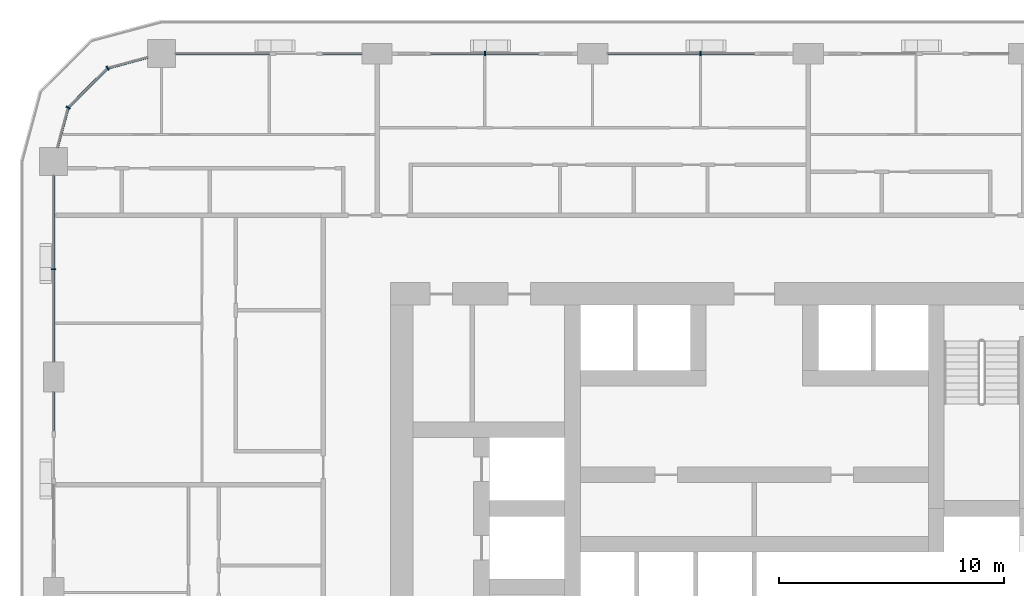
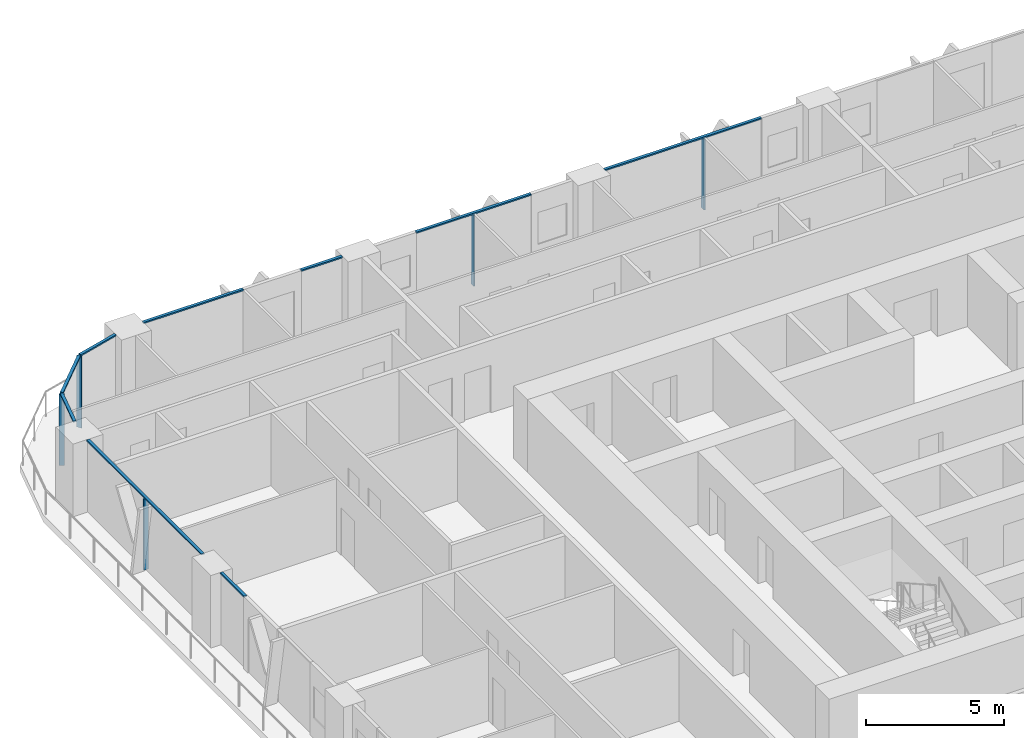
# One storey, part 5 of 21: 14 members, 6 elements without a shape of their own.
"""IFC4 building model written with IfcOpenShell, lengths in metres."""

from ifc_helpers import new_model, si_unit, direction, frame, origin, origin_2d, place, context, subcontext, project, spatial, rectangle, extrude, material, layer, layer_set, material_profile, profile_set, type_object, element, aggregate, save


model = new_model("IFC4")

# Units and contexts
model_context = context("Model", 3, precision=1e-05, world=origin(), true_north=direction((0.0, 1.0)))
body_context = subcontext(model_context, "Body", "Model", "MODEL_VIEW")
ifc_project = project(units=[si_unit("LENGTHUNIT", "METRE"), si_unit("AREAUNIT", "SQUARE_METRE"), si_unit("VOLUMEUNIT", "CUBIC_METRE"), si_unit("PLANEANGLEUNIT", "RADIAN"), si_unit("MASSUNIT", "GRAM", prefix="KILO")], contexts=[model_context])

# Site, building, storey
site_placement = place(None, origin())
site = spatial("IfcSite", under=ifc_project, at=site_placement, CompositionType="ELEMENT")
building_placement = place(site_placement, origin())
building = spatial("IfcBuilding", under=site, at=building_placement, Name="Madar Terraces", CompositionType="ELEMENT")
storey_placement = place(building_placement, frame((0.0, 0.0, 29.39990234375)))
storey = spatial("IfcBuildingStorey", under=building, at=storey_placement, Name="L06", CompositionType="ELEMENT", Elevation=29.39990234375)

# Curtain wall, member
ifc_material_1 = material(Name="Glass, ceramic frit dark grey, with black aluminium frame", Category="aluminium")
ifc_layer = layer(ifc_material_1, 0.199951171875)
ifc_layer_set = layer_set([ifc_layer], Name="Facade curtain wall, fritted glass")
curtain_wall_type = type_object("IfcCurtainWallType", Name="Facade curtain wall, fritted glass", PredefinedType="NOTDEFINED", material=ifc_layer_set)
curtain_wall_1_placement = place(storey_placement, origin())
curtain_wall_1 = element("IfcCurtainWall", 1, at=curtain_wall_1_placement, inside=storey, type_object=curtain_wall_type, Name="Outer skin curtain wall north bay 3", PredefinedType="NOTDEFINED")
ifc_material_2 = material(Name="Aluminium, black anodised", Category="aluminium")
ifc_material_profile_1 = material_profile(ifc_material_2, rectangle(XDim=0.199951171875, YDim=0.06005859375, at=origin_2d()), Name="Facade mullion 60x200")
ifc_profile_set_1 = profile_set([ifc_material_profile_1], Name="Aluminium, black anodised")
member_type_1 = type_object("IfcMemberType", Name="Facade mullion 60x200", PredefinedType="MULLION", material=ifc_profile_set_1)
member_1_placement = place(storey_placement, frame((28.800048828125, 48.0, 0.0), z_axis=(0.0, 0.0, 1.0), x_axis=(0.0, -1.0, 0.0)))
member_1 = element("IfcMember", 2, at=member_1_placement, type_object=member_type_1, Name="Mullion 1", PredefinedType="MULLION", context=body_context, shape_type="SweptSolid", body=[
    extrude(rectangle(XDim=0.199951171875, YDim=0.06005859375, at=origin_2d()), origin(), (0.0, 0.0, 1.0), 3.14013671875),
])

curtain_wall_2_placement = place(storey_placement, origin())
curtain_wall_2 = element("IfcCurtainWall", 3, at=curtain_wall_2_placement, inside=storey, type_object=curtain_wall_type, Name="Outer skin curtain wall north bay 4", PredefinedType="NOTDEFINED")
member_2_placement = place(storey_placement, frame((19.199951171875, 48.0, 0.0), z_axis=(0.0, 0.0, 1.0), x_axis=(0.0, -1.0, 0.0)))
member_2 = element("IfcMember", 4, at=member_2_placement, type_object=member_type_1, Name="Mullion 1", PredefinedType="MULLION", context=body_context, shape_type="SweptSolid", body=[
    extrude(rectangle(XDim=0.199951171875, YDim=0.06005859375, at=origin_2d()), origin(), (0.0, 0.0, 1.0), 3.14013671875),
])

curtain_wall_3_placement = place(storey_placement, origin())
curtain_wall_3 = element("IfcCurtainWall", 5, at=curtain_wall_3_placement, inside=storey, type_object=curtain_wall_type, Name="Outer skin curtain wall west bay 1", PredefinedType="NOTDEFINED")
member_3_placement = place(storey_placement, frame((0.0, 38.39990234375, 0.0), z_axis=(0.0, 0.0, 1.0), x_axis=(1.0, 0.0, 0.0)))
member_3 = element("IfcMember", 6, at=member_3_placement, type_object=member_type_1, Name="Mullion 1", PredefinedType="MULLION", context=body_context, shape_type="SweptSolid", body=[
    extrude(rectangle(XDim=0.199951171875, YDim=0.06005859375, at=origin_2d()), origin(), (0.0, 0.0, 1.0), 3.14013671875),
])

# Curtain wall, members
curtain_wall_4_placement = place(storey_placement, origin())
curtain_wall_4 = element("IfcCurtainWall", 7, at=curtain_wall_4_placement, inside=storey, type_object=curtain_wall_type, Name="Outer skin curtain wall north-west corner", PredefinedType="NOTDEFINED")
member_4_placement = place(storey_placement, frame((2.39990234375, 47.35693359375, 0.0), z_axis=(0.0, 0.0, 1.0), x_axis=(0.499999989586, -0.866025409797, 0.0)))
member_4 = element("IfcMember", 8, at=member_4_placement, type_object=member_type_1, Name="Mullion 1", PredefinedType="MULLION", context=body_context, shape_type="SweptSolid", body=[
    extrude(rectangle(XDim=0.199951171875, YDim=0.06005859375, at=origin_2d()), origin(), (0.0, 0.0, 1.0), 3.14013671875),
])
member_5_placement = place(storey_placement, frame((0.64306640625, 45.60009765625, 0.0), z_axis=(0.0, 0.0, 1.0), x_axis=(0.866025409797, -0.499999989586, 0.0)))
member_5 = element("IfcMember", 9, at=member_5_placement, type_object=member_type_1, Name="Mullion 2", PredefinedType="MULLION", context=body_context, shape_type="SweptSolid", body=[
    extrude(rectangle(XDim=0.199951171875, YDim=0.06005859375, at=origin_2d()), origin(), (0.0, 0.0, 1.0), 3.14013671875),
])

# Member
ifc_material_3 = material(Name="Aluminium, black anodised", Category="aluminium")
ifc_material_profile_2 = material_profile(ifc_material_3, rectangle(XDim=0.1201171875, YDim=0.06005859375, at=origin_2d()), Name="Facade transom 60x120")
ifc_profile_set_2 = profile_set([ifc_material_profile_2], Name="Aluminium, black anodised")
member_type_2 = type_object("IfcMemberType", Name="Facade transom 60x120", PredefinedType="USERDEFINED", material=ifc_profile_set_2)
member_6_placement = place(storey_placement, frame((31.199951171875, 48.0, 3.170166015625), z_axis=(-1.0, 0.0, 0.0), x_axis=(0.0, -1.0, 0.0)))
member_6 = element("IfcMember", 10, at=member_6_placement, type_object=member_type_2, Name="Transom 1", ObjectType="TRANSOM", PredefinedType="USERDEFINED", context=body_context, shape_type="SweptSolid", body=[
    extrude(rectangle(XDim=0.1201171875, YDim=0.06005859375, at=origin_2d()), origin(), (0.0, 0.0, 1.0), 6.52490234375),
])

aggregate(curtain_wall_1, [member_1, member_6])

member_7_placement = place(storey_placement, frame((21.60009765625, 48.0, 3.170166015625), z_axis=(-1.0, 0.0, 0.0), x_axis=(0.0, -1.0, 0.0)))
member_7 = element("IfcMember", 11, at=member_7_placement, type_object=member_type_2, Name="Transom 1", ObjectType="TRANSOM", PredefinedType="USERDEFINED", context=body_context, shape_type="SweptSolid", body=[
    extrude(rectangle(XDim=0.1201171875, YDim=0.06005859375, at=origin_2d()), origin(), (0.0, 0.0, 1.0), 4.800048828125),
])

aggregate(curtain_wall_2, [member_2, member_7])

# Curtain wall, members
curtain_wall_5_placement = place(storey_placement, origin())
curtain_wall_5 = element("IfcCurtainWall", 12, at=curtain_wall_5_placement, inside=storey, type_object=curtain_wall_type, Name="Outer skin curtain wall north bay 5", PredefinedType="NOTDEFINED")
member_8_placement = place(storey_placement, frame((13.72509765625, 48.0, 3.170166015625), z_axis=(-1.0, 0.0, 0.0), x_axis=(0.0, -1.0, 0.0)))
member_8 = element("IfcMember", 13, at=member_8_placement, type_object=member_type_2, Name="Transom 1", ObjectType="TRANSOM", PredefinedType="USERDEFINED", context=body_context, shape_type="SweptSolid", body=[
    extrude(rectangle(XDim=0.1201171875, YDim=0.06005859375, at=origin_2d()), origin(), (0.0, 0.0, 1.0), 1.72509765625),
])
member_9_placement = place(storey_placement, frame((9.60009765625, 48.0, 3.170166015625), z_axis=(-1.0, 0.0, 0.0), x_axis=(0.0, -1.0, 0.0)))
member_9 = element("IfcMember", 14, at=member_9_placement, type_object=member_type_2, Name="Transom 2", ObjectType="TRANSOM", PredefinedType="USERDEFINED", context=body_context, shape_type="SweptSolid", body=[
    extrude(rectangle(XDim=0.1201171875, YDim=0.06005859375, at=origin_2d()), origin(), (0.0, 0.0, 1.0), 4.175048828125),
])
aggregate(curtain_wall_5, [member_8, member_9])

# Member
member_10_placement = place(storey_placement, frame((0.0, 42.574951171875, 3.170166015625), z_axis=(0.0, -1.0, 0.0), x_axis=(1.0, 0.0, 0.0)))
member_10 = element("IfcMember", 15, at=member_10_placement, type_object=member_type_2, Name="Transom 1", ObjectType="TRANSOM", PredefinedType="USERDEFINED", context=body_context, shape_type="SweptSolid", body=[
    extrude(rectangle(XDim=0.1201171875, YDim=0.06005859375, at=origin_2d()), origin(), (0.0, 0.0, 1.0), 8.300048828125),
])

aggregate(curtain_wall_3, [member_3, member_10])

# Curtain wall, member
curtain_wall_6_placement = place(storey_placement, origin())
curtain_wall_6 = element("IfcCurtainWall", 16, at=curtain_wall_6_placement, inside=storey, type_object=curtain_wall_type, Name="Outer skin curtain wall west bay 2", PredefinedType="NOTDEFINED")
member_11_placement = place(storey_placement, frame((0.0, 32.925048828125, 3.170166015625), z_axis=(0.0, -1.0, 0.0), x_axis=(1.0, 0.0, 0.0)))
member_11 = element("IfcMember", 17, at=member_11_placement, type_object=member_type_2, Name="Transom 1", ObjectType="TRANSOM", PredefinedType="USERDEFINED", context=body_context, shape_type="SweptSolid", body=[
    extrude(rectangle(XDim=0.1201171875, YDim=0.06005859375, at=origin_2d()), origin(), (0.0, 0.0, 1.0), 1.72509765625),
])
aggregate(curtain_wall_6, [member_11])

# Member
member_12_placement = place(storey_placement, frame((4.175048828125, 47.83251953125, 3.170166015625), z_axis=(-0.965938406667, -0.258772089929, 0.0), x_axis=(0.258772089929, -0.965938406667, 0.0)))
member_12 = element("IfcMember", 18, at=member_12_placement, type_object=member_type_2, Name="Transom 1", ObjectType="TRANSOM", PredefinedType="USERDEFINED", context=body_context, shape_type="SweptSolid", body=[
    extrude(rectangle(XDim=0.1201171875, YDim=0.06005859375, at=origin_2d()), origin(), (0.0, 0.0, 1.0), 1.8076171875),
])

member_13_placement = place(storey_placement, frame((2.37890625, 47.335693359375, 3.170166015625), z_axis=(-0.707106781187, -0.707106781187, 0.0), x_axis=(0.707106781187, -0.707106781187, 0.0)))
member_13 = element("IfcMember", 19, at=member_13_placement, type_object=member_type_2, Name="Transom 2", ObjectType="TRANSOM", PredefinedType="USERDEFINED", context=body_context, shape_type="SweptSolid", body=[
    extrude(rectangle(XDim=0.1201171875, YDim=0.06005859375, at=origin_2d()), origin(), (0.0, 0.0, 1.0), 2.4248046875),
])

member_14_placement = place(storey_placement, frame((0.63525390625, 45.571044921875, 3.170166015625), z_axis=(-0.258772089929, -0.965938406667, 0.0), x_axis=(0.965938406667, -0.258772089929, 0.0)))
member_14 = element("IfcMember", 20, at=member_14_placement, type_object=member_type_2, Name="Transom 3", ObjectType="TRANSOM", PredefinedType="USERDEFINED", context=body_context, shape_type="SweptSolid", body=[
    extrude(rectangle(XDim=0.1201171875, YDim=0.06005859375, at=origin_2d()), origin(), (0.0, 0.0, 1.0), 1.8076171875),
])

aggregate(curtain_wall_4, [member_4, member_12, member_5, member_13, member_14])

save(model, "model.ifc")
